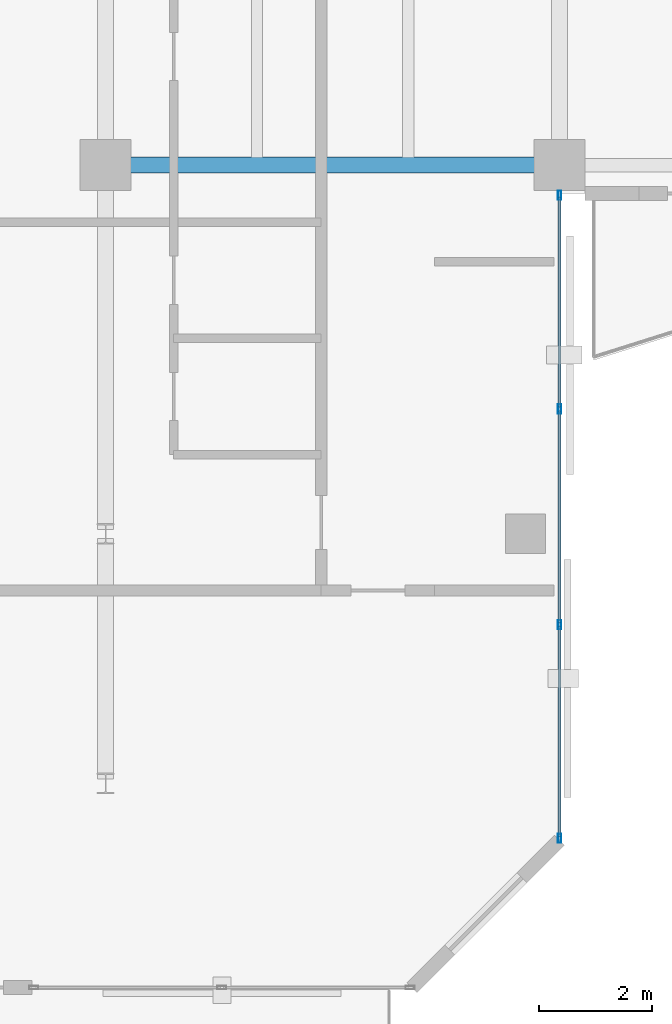
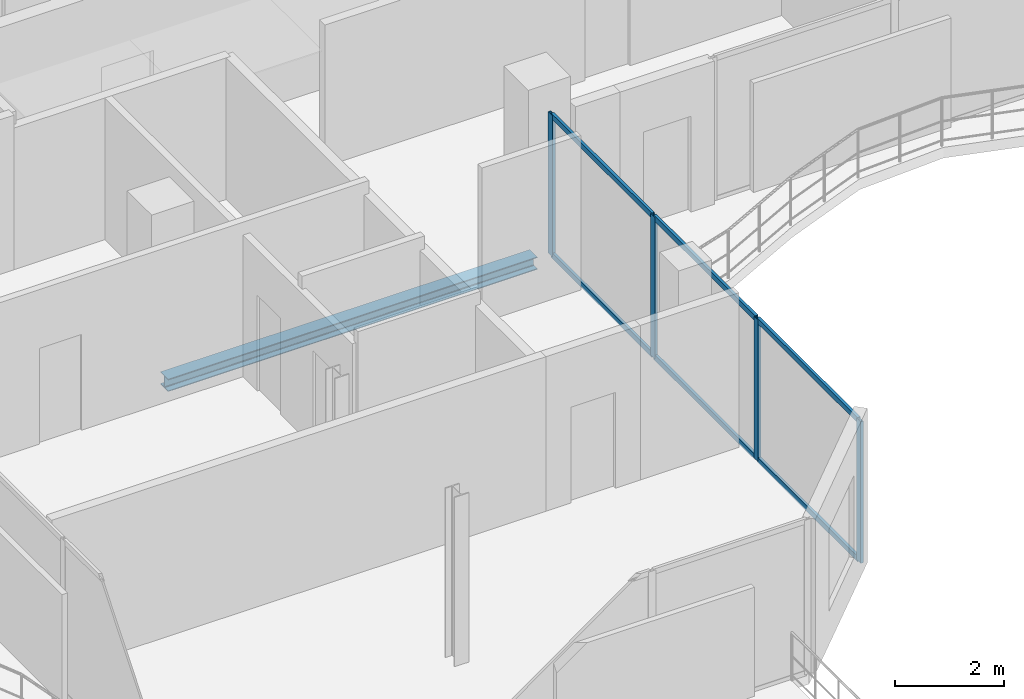
# One storey, part 4 of 16: 10 members, 1 beam, 1 element without a shape of its own.
"""IFC4 building model written with IfcOpenShell, lengths in metres."""

from ifc_helpers import new_model, si_unit, direction, frame, origin, origin_2d, place, context, subcontext, project, spatial, hollow_rectangle, i_section, extrude, material, layer, layer_set, material_profile, profile_set, type_object, element, aggregate, save


model = new_model("IFC4")

# Units and contexts
model_context = context("Model", 3, precision=1e-05, world=origin(), true_north=direction((0.0, 1.0)))
body_context = subcontext(model_context, "Body", "Model", "MODEL_VIEW")
ifc_project = project(units=[si_unit("LENGTHUNIT", "METRE"), si_unit("AREAUNIT", "SQUARE_METRE"), si_unit("VOLUMEUNIT", "CUBIC_METRE"), si_unit("PLANEANGLEUNIT", "RADIAN"), si_unit("MASSUNIT", "GRAM", prefix="KILO")], contexts=[model_context])

# Site, building, storey
site_placement = place(None, origin())
site = spatial("IfcSite", under=ifc_project, at=site_placement, CompositionType="ELEMENT")
building_placement = place(site_placement, origin())
building = spatial("IfcBuilding", under=site, at=building_placement, Name="Catumbela Crestline Tower", CompositionType="ELEMENT")
storey_placement = place(building_placement, frame((0.0, 0.0, 286.8)))
storey = spatial("IfcBuildingStorey", under=building, at=storey_placement, Name="L74", CompositionType="ELEMENT", Elevation=286.8)

# Beam
ifc_material_1 = material(Name="Structural steel S355J2", Category="steel")
ifc_material_profile_1 = material_profile(ifc_material_1, i_section(OverallWidth=0.28, OverallDepth=0.28, WebThickness=0.0105, FlangeThickness=0.018, FilletRadius=0.024, at=origin_2d()), Name="HEB 280")
ifc_profile_set_1 = profile_set([ifc_material_profile_1], Name="Structural steel S355J2")
beam_type = type_object("IfcBeamType", Name="BG-HEB280", PredefinedType="BEAM", material=ifc_profile_set_1)
beam_placement = place(storey_placement, frame((16.08, 24.5, -0.4), z_axis=(1.0, 0.0, 0.0), x_axis=(0.0, 1.0, 0.0)))
element("IfcBeam", 1, at=beam_placement, inside=storey, type_object=beam_type, Name="L74 Beam BM-L74-S01", PredefinedType="BEAM", context=body_context, shape_type="SweptSolid", body=[
    extrude(i_section(OverallWidth=0.28, OverallDepth=0.28, WebThickness=0.0105, FlangeThickness=0.018, FilletRadius=0.024, at=origin_2d()), origin(), (0.0, 0.0, 1.0), 7.84),
])

# Curtain wall, members
ifc_material_2 = material(Name="Aluminium alloy AW-6060-T66", Category="aluminium")
ifc_layer = layer(ifc_material_2, 0.18, Name="Aluminium alloy AW-6060-T66")
ifc_layer_set = layer_set([ifc_layer], Name="Aluminium alloy AW-6060-T66")
curtain_wall_type = type_object("IfcCurtainWallType", Name="CWU-Z4", PredefinedType="USERDEFINED", material=ifc_layer_set)
curtain_wall_placement = place(storey_placement, origin())
curtain_wall = element("IfcCurtainWall", 2, at=curtain_wall_placement, inside=storey, type_object=curtain_wall_type, Name="L74 Unitised Curtain Wall CW-L74-E2S1", ObjectType="UNITISED", PredefinedType="USERDEFINED")
ifc_material_profile_2 = material_profile(ifc_material_2, hollow_rectangle(XDim=0.06, YDim=0.16, WallThickness=0.004, at=origin_2d()), Name="ALU 160x60x4")
ifc_profile_set_2 = profile_set([ifc_material_profile_2], Name="Aluminium alloy AW-6060-T66")
member_type_1 = type_object("IfcMemberType", Name="MUL-160X60", PredefinedType="MULLION", material=ifc_profile_set_2)
member_1_placement = place(storey_placement, frame((24.0, 12.6325, 0.0), z_axis=(0.0, 0.0, 1.0), x_axis=(-1.0, 0.0, 0.0)))
member_1 = element("IfcMember", 3, at=member_1_placement, type_object=member_type_1, Name="CWU-Z4 mullion 1", PredefinedType="MULLION", context=body_context, shape_type="SweptSolid", body=[
    extrude(hollow_rectangle(XDim=0.06, YDim=0.16, WallThickness=0.004, at=origin_2d()), origin(), (0.0, 0.0, 1.0), 3.18),
])
member_2_placement = place(storey_placement, frame((24.0, 16.4, 0.0), z_axis=(0.0, 0.0, 1.0), x_axis=(-1.0, 0.0, 0.0)))
member_2 = element("IfcMember", 4, at=member_2_placement, type_object=member_type_1, Name="CWU-Z4 mullion 2", PredefinedType="MULLION", context=body_context, shape_type="SweptSolid", body=[
    extrude(hollow_rectangle(XDim=0.06, YDim=0.16, WallThickness=0.004, at=origin_2d()), origin(), (0.0, 0.0, 1.0), 3.18),
])
member_3_placement = place(storey_placement, frame((24.0, 20.2, 0.0), z_axis=(0.0, 0.0, 1.0), x_axis=(-1.0, 0.0, 0.0)))
member_3 = element("IfcMember", 5, at=member_3_placement, type_object=member_type_1, Name="CWU-Z4 mullion 3", PredefinedType="MULLION", context=body_context, shape_type="SweptSolid", body=[
    extrude(hollow_rectangle(XDim=0.06, YDim=0.16, WallThickness=0.004, at=origin_2d()), origin(), (0.0, 0.0, 1.0), 3.18),
])
member_4_placement = place(storey_placement, frame((24.0, 23.9675, 0.0), z_axis=(0.0, 0.0, 1.0), x_axis=(-1.0, 0.0, 0.0)))
member_4 = element("IfcMember", 6, at=member_4_placement, type_object=member_type_1, Name="CWU-Z4 mullion 4", PredefinedType="MULLION", context=body_context, shape_type="SweptSolid", body=[
    extrude(hollow_rectangle(XDim=0.06, YDim=0.16, WallThickness=0.004, at=origin_2d()), origin(), (0.0, 0.0, 1.0), 3.18),
])
ifc_material_profile_3 = material_profile(ifc_material_2, hollow_rectangle(XDim=0.06, YDim=0.12, WallThickness=0.0035, at=origin_2d()), Name="ALU 120x60x3.5")
ifc_profile_set_3 = profile_set([ifc_material_profile_3], Name="Aluminium alloy AW-6060-T66")
member_type_2 = type_object("IfcMemberType", Name="TRN-120X60", PredefinedType="USERDEFINED", material=ifc_profile_set_3)
member_5_placement = place(storey_placement, frame((24.0, 12.665, 0.03), z_axis=(0.0, 1.0, 0.0), x_axis=(-1.0, 0.0, 0.0)))
member_5 = element("IfcMember", 7, at=member_5_placement, type_object=member_type_2, Name="CWU-Z4 transom 1.1", ObjectType="TRANSOM", PredefinedType="USERDEFINED", context=body_context, shape_type="SweptSolid", body=[
    extrude(hollow_rectangle(XDim=0.06, YDim=0.12, WallThickness=0.0035, at=origin_2d()), origin(), (0.0, 0.0, 1.0), 3.7025),
])
member_6_placement = place(storey_placement, frame((24.0, 12.665, 3.15), z_axis=(0.0, 1.0, 0.0), x_axis=(-1.0, 0.0, 0.0)))
member_6 = element("IfcMember", 8, at=member_6_placement, type_object=member_type_2, Name="CWU-Z4 transom 1.2", ObjectType="TRANSOM", PredefinedType="USERDEFINED", context=body_context, shape_type="SweptSolid", body=[
    extrude(hollow_rectangle(XDim=0.06, YDim=0.12, WallThickness=0.0035, at=origin_2d()), origin(), (0.0, 0.0, 1.0), 3.7025),
])
member_7_placement = place(storey_placement, frame((24.0, 16.4325, 0.03), z_axis=(0.0, 1.0, 0.0), x_axis=(-1.0, 0.0, 0.0)))
member_7 = element("IfcMember", 9, at=member_7_placement, type_object=member_type_2, Name="CWU-Z4 transom 2.1", ObjectType="TRANSOM", PredefinedType="USERDEFINED", context=body_context, shape_type="SweptSolid", body=[
    extrude(hollow_rectangle(XDim=0.06, YDim=0.12, WallThickness=0.0035, at=origin_2d()), origin(), (0.0, 0.0, 1.0), 3.735),
])
member_8_placement = place(storey_placement, frame((24.0, 16.4325, 3.15), z_axis=(0.0, 1.0, 0.0), x_axis=(-1.0, 0.0, 0.0)))
member_8 = element("IfcMember", 10, at=member_8_placement, type_object=member_type_2, Name="CWU-Z4 transom 2.2", ObjectType="TRANSOM", PredefinedType="USERDEFINED", context=body_context, shape_type="SweptSolid", body=[
    extrude(hollow_rectangle(XDim=0.06, YDim=0.12, WallThickness=0.0035, at=origin_2d()), origin(), (0.0, 0.0, 1.0), 3.735),
])
member_9_placement = place(storey_placement, frame((24.0, 20.2325, 0.03), z_axis=(0.0, 1.0, 0.0), x_axis=(-1.0, 0.0, 0.0)))
member_9 = element("IfcMember", 11, at=member_9_placement, type_object=member_type_2, Name="CWU-Z4 transom 3.1", ObjectType="TRANSOM", PredefinedType="USERDEFINED", context=body_context, shape_type="SweptSolid", body=[
    extrude(hollow_rectangle(XDim=0.06, YDim=0.12, WallThickness=0.0035, at=origin_2d()), origin(), (0.0, 0.0, 1.0), 3.7025),
])
member_10_placement = place(storey_placement, frame((24.0, 20.2325, 3.15), z_axis=(0.0, 1.0, 0.0), x_axis=(-1.0, 0.0, 0.0)))
member_10 = element("IfcMember", 12, at=member_10_placement, type_object=member_type_2, Name="CWU-Z4 transom 3.2", ObjectType="TRANSOM", PredefinedType="USERDEFINED", context=body_context, shape_type="SweptSolid", body=[
    extrude(hollow_rectangle(XDim=0.06, YDim=0.12, WallThickness=0.0035, at=origin_2d()), origin(), (0.0, 0.0, 1.0), 3.7025),
])
aggregate(curtain_wall, [member_1, member_2, member_3, member_4, member_5, member_6, member_7, member_8, member_9, member_10])

save(model, "model.ifc")
